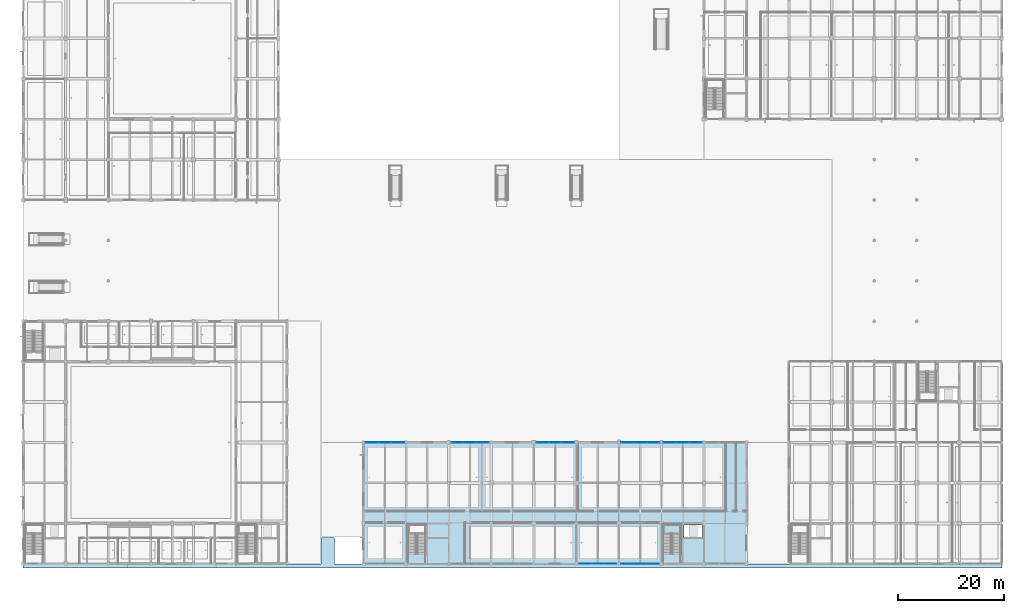
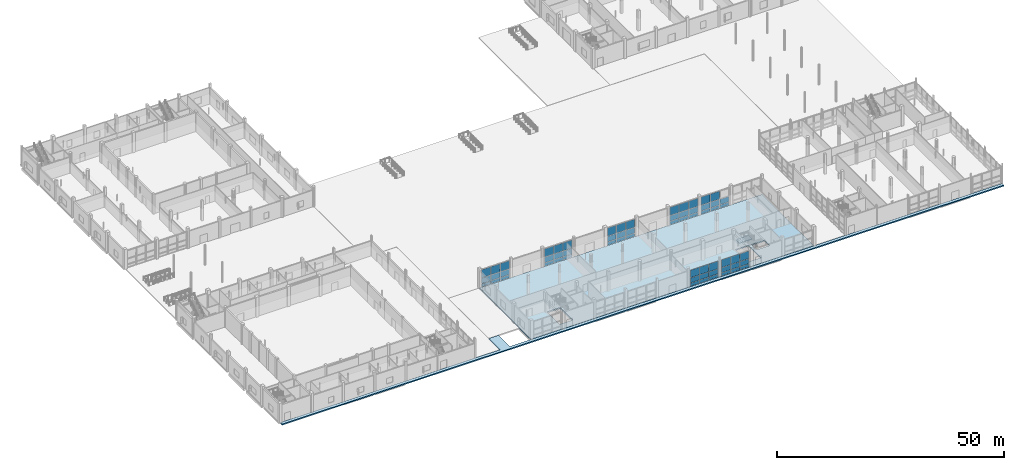
# One storey, part 50 of 126: 62 plates, 3 slabs, 8 elements without a shape of their own.
"""IFC4 building model written with IfcOpenShell, lengths in metres."""

from ifc_helpers import new_model, si_unit, direction, frame, origin, origin_2d, place, context, subcontext, project, spatial, polyline, rectangle, outline, extrude, material, layer, layer_set, type_object, element, aggregate, save


model = new_model("IFC4")

# Units and contexts
model_context = context("Model", 3, precision=1e-05, world=origin(), true_north=direction((0.0, 1.0)))
body_context = subcontext(model_context, "Body", "Model", "MODEL_VIEW")
ifc_project = project(units=[si_unit("LENGTHUNIT", "METRE"), si_unit("AREAUNIT", "SQUARE_METRE"), si_unit("VOLUMEUNIT", "CUBIC_METRE"), si_unit("PLANEANGLEUNIT", "RADIAN"), si_unit("MASSUNIT", "GRAM", prefix="KILO")], contexts=[model_context])

# Site, building, storey
site_placement = place(None, origin())
site = spatial("IfcSite", under=ifc_project, at=site_placement, CompositionType="ELEMENT")
building_placement = place(site_placement, origin())
building = spatial("IfcBuilding", under=site, at=building_placement, Name="Khelvaren Railside Concert Hall", CompositionType="ELEMENT")
storey_placement = place(building_placement, origin())
storey = spatial("IfcBuildingStorey", under=building, at=storey_placement, Name="L00", CompositionType="ELEMENT", Elevation=0.0)

# Curtain wall, plates
ifc_material_1 = material(Name="Triple-glazed solar-control glass", Category="glass")
curtain_wall_type_1 = type_object("IfcCurtainWallType", Name="CW14", PredefinedType="USERDEFINED", material=ifc_material_1)
curtain_wall_1_placement = place(storey_placement, origin())
curtain_wall_1 = element("IfcCurtainWall", 1, at=curtain_wall_1_placement, inside=storey, type_object=curtain_wall_type_1, Name="Unitised Curtain Wall CW-V3-L00-S-104", ObjectType="UNITISED CURTAIN WALL", PredefinedType="USERDEFINED")
ifc_layer_1 = layer(ifc_material_1, 0.035888671875)
ifc_layer_set_1 = layer_set([ifc_layer_1], Name="Triple-glazed solar-control glass")
plate_type = type_object("IfcPlateType", Name="CWP53", PredefinedType="CURTAIN_PANEL", material=ifc_layer_set_1)
plate_1_placement = place(storey_placement, frame((110.3955078125, 0.0, 0.074951171875), z_axis=(0.0, 0.0, 1.0), x_axis=(-1.0, 0.0, 0.0)))
plate_1 = element("IfcPlate", 2, at=plate_1_placement, type_object=plate_type, Name="CW14 panel 1.1", PredefinedType="CURTAIN_PANEL", context=body_context, shape_type="SweptSolid", body=[
    extrude(rectangle(XDim=2.26416015625, YDim=0.035888671875, at=origin_2d()), origin(), (0.0, 0.0, 1.0), 0.83740234375),
])
plate_2_placement = place(storey_placement, frame((110.3955078125, 0.0, 0.9873046875), z_axis=(0.0, 0.0, 1.0), x_axis=(-1.0, 0.0, 0.0)))
plate_2 = element("IfcPlate", 3, at=plate_2_placement, type_object=plate_type, Name="CW14 panel 1.2", PredefinedType="CURTAIN_PANEL", context=body_context, shape_type="SweptSolid", body=[
    extrude(rectangle(XDim=2.26416015625, YDim=0.035888671875, at=origin_2d()), origin(), (0.0, 0.0, 1.0), 1.309814453125),
])
plate_3_placement = place(storey_placement, frame((110.3955078125, 0.0, 2.3720703125), z_axis=(0.0, 0.0, 1.0), x_axis=(-1.0, 0.0, 0.0)))
plate_3 = element("IfcPlate", 4, at=plate_3_placement, type_object=plate_type, Name="CW14 panel 1.3", PredefinedType="CURTAIN_PANEL", context=body_context, shape_type="SweptSolid", body=[
    extrude(rectangle(XDim=2.26416015625, YDim=0.035888671875, at=origin_2d()), origin(), (0.0, 0.0, 1.0), 2.042724609375),
])
plate_4_placement = place(storey_placement, frame((108.03759765625, 0.0, 0.074951171875), z_axis=(0.0, 0.0, 1.0), x_axis=(-1.0, 0.0, 0.0)))
plate_4 = element("IfcPlate", 5, at=plate_4_placement, type_object=plate_type, Name="CW14 panel 2.1", PredefinedType="CURTAIN_PANEL", context=body_context, shape_type="SweptSolid", body=[
    extrude(rectangle(XDim=2.3017578125, YDim=0.035888671875, at=origin_2d()), origin(), (0.0, 0.0, 1.0), 0.83740234375),
])
plate_5_placement = place(storey_placement, frame((108.03759765625, 0.0, 0.9873046875), z_axis=(0.0, 0.0, 1.0), x_axis=(-1.0, 0.0, 0.0)))
plate_5 = element("IfcPlate", 6, at=plate_5_placement, type_object=plate_type, Name="CW14 panel 2.2", PredefinedType="CURTAIN_PANEL", context=body_context, shape_type="SweptSolid", body=[
    extrude(rectangle(XDim=2.3017578125, YDim=0.035888671875, at=origin_2d()), origin(), (0.0, 0.0, 1.0), 1.309814453125),
])
plate_6_placement = place(storey_placement, frame((108.03759765625, 0.0, 2.3720703125), z_axis=(0.0, 0.0, 1.0), x_axis=(-1.0, 0.0, 0.0)))
plate_6 = element("IfcPlate", 7, at=plate_6_placement, type_object=plate_type, Name="CW14 panel 2.3", PredefinedType="CURTAIN_PANEL", context=body_context, shape_type="SweptSolid", body=[
    extrude(rectangle(XDim=2.3017578125, YDim=0.035888671875, at=origin_2d()), origin(), (0.0, 0.0, 1.0), 2.042724609375),
])
plate_7_placement = place(storey_placement, frame((105.6796875, 0.0, 0.074951171875), z_axis=(0.0, 0.0, 1.0), x_axis=(-1.0, 0.0, 0.0)))
plate_7 = element("IfcPlate", 8, at=plate_7_placement, type_object=plate_type, Name="CW14 panel 3.1", PredefinedType="CURTAIN_PANEL", context=body_context, shape_type="SweptSolid", body=[
    extrude(rectangle(XDim=2.26416015625, YDim=0.035888671875, at=origin_2d()), origin(), (0.0, 0.0, 1.0), 0.83740234375),
])
plate_8_placement = place(storey_placement, frame((105.6796875, 0.0, 0.9873046875), z_axis=(0.0, 0.0, 1.0), x_axis=(-1.0, 0.0, 0.0)))
plate_8 = element("IfcPlate", 9, at=plate_8_placement, type_object=plate_type, Name="CW14 panel 3.2", PredefinedType="CURTAIN_PANEL", context=body_context, shape_type="SweptSolid", body=[
    extrude(rectangle(XDim=2.26416015625, YDim=0.035888671875, at=origin_2d()), origin(), (0.0, 0.0, 1.0), 1.309814453125),
])
plate_9_placement = place(storey_placement, frame((105.6796875, 0.0, 2.3720703125), z_axis=(0.0, 0.0, 1.0), x_axis=(-1.0, 0.0, 0.0)))
plate_9 = element("IfcPlate", 10, at=plate_9_placement, type_object=plate_type, Name="CW14 panel 3.3", PredefinedType="CURTAIN_PANEL", context=body_context, shape_type="SweptSolid", body=[
    extrude(rectangle(XDim=2.26416015625, YDim=0.035888671875, at=origin_2d()), origin(), (0.0, 0.0, 1.0), 2.042724609375),
])
aggregate(curtain_wall_1, [plate_1, plate_2, plate_3, plate_4, plate_5, plate_6, plate_7, plate_8, plate_9])

curtain_wall_type_2 = type_object("IfcCurtainWallType", Name="CW80", PredefinedType="USERDEFINED", material=ifc_material_1)
curtain_wall_2_placement = place(storey_placement, origin())
curtain_wall_2 = element("IfcCurtainWall", 11, at=curtain_wall_2_placement, inside=storey, type_object=curtain_wall_type_2, Name="Unitised Curtain Wall CW-V3-L00-S-112", ObjectType="UNITISED CURTAIN WALL", PredefinedType="USERDEFINED")
plate_10_placement = place(storey_placement, frame((118.3203125, 0.0, 0.074951171875), z_axis=(0.0, 0.0, 1.0), x_axis=(-1.0, 0.0, 0.0)))
plate_10 = element("IfcPlate", 12, at=plate_10_placement, type_object=plate_type, Name="CW80 panel 1.1", PredefinedType="CURTAIN_PANEL", context=body_context, shape_type="SweptSolid", body=[
    extrude(rectangle(XDim=2.26416015625, YDim=0.035888671875, at=origin_2d()), origin(), (0.0, 0.0, 1.0), 0.83740234375),
])
plate_11_placement = place(storey_placement, frame((118.3203125, 0.0, 0.9873046875), z_axis=(0.0, 0.0, 1.0), x_axis=(-1.0, 0.0, 0.0)))
plate_11 = element("IfcPlate", 13, at=plate_11_placement, type_object=plate_type, Name="CW80 panel 1.2", PredefinedType="CURTAIN_PANEL", context=body_context, shape_type="SweptSolid", body=[
    extrude(rectangle(XDim=2.26416015625, YDim=0.035888671875, at=origin_2d()), origin(), (0.0, 0.0, 1.0), 1.309814453125),
])
plate_12_placement = place(storey_placement, frame((118.3203125, 0.0, 2.3720703125), z_axis=(0.0, 0.0, 1.0), x_axis=(-1.0, 0.0, 0.0)))
plate_12 = element("IfcPlate", 14, at=plate_12_placement, type_object=plate_type, Name="CW80 panel 1.3", PredefinedType="CURTAIN_PANEL", context=body_context, shape_type="SweptSolid", body=[
    extrude(rectangle(XDim=2.26416015625, YDim=0.035888671875, at=origin_2d()), origin(), (0.0, 0.0, 1.0), 2.042724609375),
])
plate_13_placement = place(storey_placement, frame((115.96240234375, 0.0, 0.074951171875), z_axis=(0.0, 0.0, 1.0), x_axis=(-1.0, 0.0, 0.0)))
plate_13 = element("IfcPlate", 15, at=plate_13_placement, type_object=plate_type, Name="CW80 panel 2.1", PredefinedType="CURTAIN_PANEL", context=body_context, shape_type="SweptSolid", body=[
    extrude(rectangle(XDim=2.3017578125, YDim=0.035888671875, at=origin_2d()), origin(), (0.0, 0.0, 1.0), 0.83740234375),
])
plate_14_placement = place(storey_placement, frame((115.96240234375, 0.0, 0.9873046875), z_axis=(0.0, 0.0, 1.0), x_axis=(-1.0, 0.0, 0.0)))
plate_14 = element("IfcPlate", 16, at=plate_14_placement, type_object=plate_type, Name="CW80 panel 2.2", PredefinedType="CURTAIN_PANEL", context=body_context, shape_type="SweptSolid", body=[
    extrude(rectangle(XDim=2.3017578125, YDim=0.035888671875, at=origin_2d()), origin(), (0.0, 0.0, 1.0), 1.309814453125),
])
plate_15_placement = place(storey_placement, frame((115.96240234375, 0.0, 2.3720703125), z_axis=(0.0, 0.0, 1.0), x_axis=(-1.0, 0.0, 0.0)))
plate_15 = element("IfcPlate", 17, at=plate_15_placement, type_object=plate_type, Name="CW80 panel 2.3", PredefinedType="CURTAIN_PANEL", context=body_context, shape_type="SweptSolid", body=[
    extrude(rectangle(XDim=2.3017578125, YDim=0.035888671875, at=origin_2d()), origin(), (0.0, 0.0, 1.0), 2.042724609375),
])
plate_16_placement = place(storey_placement, frame((113.6044921875, 0.0, 0.074951171875), z_axis=(0.0, 0.0, 1.0), x_axis=(-1.0, 0.0, 0.0)))
plate_16 = element("IfcPlate", 18, at=plate_16_placement, type_object=plate_type, Name="CW80 panel 3.1", PredefinedType="CURTAIN_PANEL", context=body_context, shape_type="SweptSolid", body=[
    extrude(rectangle(XDim=2.26416015625, YDim=0.035888671875, at=origin_2d()), origin(), (0.0, 0.0, 1.0), 0.83740234375),
])
plate_17_placement = place(storey_placement, frame((113.6044921875, 0.0, 0.9873046875), z_axis=(0.0, 0.0, 1.0), x_axis=(-1.0, 0.0, 0.0)))
plate_17 = element("IfcPlate", 19, at=plate_17_placement, type_object=plate_type, Name="CW80 panel 3.2", PredefinedType="CURTAIN_PANEL", context=body_context, shape_type="SweptSolid", body=[
    extrude(rectangle(XDim=2.26416015625, YDim=0.035888671875, at=origin_2d()), origin(), (0.0, 0.0, 1.0), 1.309814453125),
])
plate_18_placement = place(storey_placement, frame((113.6044921875, 0.0, 2.3720703125), z_axis=(0.0, 0.0, 1.0), x_axis=(-1.0, 0.0, 0.0)))
plate_18 = element("IfcPlate", 20, at=plate_18_placement, type_object=plate_type, Name="CW80 panel 3.3", PredefinedType="CURTAIN_PANEL", context=body_context, shape_type="SweptSolid", body=[
    extrude(rectangle(XDim=2.26416015625, YDim=0.035888671875, at=origin_2d()), origin(), (0.0, 0.0, 1.0), 2.042724609375),
])
aggregate(curtain_wall_2, [plate_10, plate_11, plate_12, plate_13, plate_14, plate_15, plate_16, plate_17, plate_18])

curtain_wall_type_3 = type_object("IfcCurtainWallType", Name="CW88", PredefinedType="USERDEFINED", material=ifc_material_1)
curtain_wall_3_placement = place(storey_placement, origin())
curtain_wall_3 = element("IfcCurtainWall", 21, at=curtain_wall_3_placement, inside=storey, type_object=curtain_wall_type_3, Name="Unitised Curtain Wall CW-V3-L00-N-64", ObjectType="UNITISED CURTAIN WALL", PredefinedType="USERDEFINED")
plate_19_placement = place(storey_placement, frame((65.608642578125, 22.800048828125, 0.074951171875), z_axis=(0.0, 0.0, 1.0), x_axis=(1.0, 0.0, 0.0)))
plate_19 = element("IfcPlate", 22, at=plate_19_placement, type_object=plate_type, Name="CW88 panel 1.1", PredefinedType="CURTAIN_PANEL", context=body_context, shape_type="SweptSolid", body=[
    extrude(rectangle(XDim=2.322509765625, YDim=0.035888671875, at=origin_2d()), origin(), (0.0, 0.0, 1.0), 0.83740234375),
])
plate_20_placement = place(storey_placement, frame((65.608642578125, 22.800048828125, 0.9873046875), z_axis=(0.0, 0.0, 1.0), x_axis=(1.0, 0.0, 0.0)))
plate_20 = element("IfcPlate", 23, at=plate_20_placement, type_object=plate_type, Name="CW88 panel 1.2", PredefinedType="CURTAIN_PANEL", context=body_context, shape_type="SweptSolid", body=[
    extrude(rectangle(XDim=2.322509765625, YDim=0.035888671875, at=origin_2d()), origin(), (0.0, 0.0, 1.0), 1.470947265625),
])
plate_21_placement = place(storey_placement, frame((65.608642578125, 22.800048828125, 2.533447265625), z_axis=(0.0, 0.0, 1.0), x_axis=(1.0, 0.0, 0.0)))
plate_21 = element("IfcPlate", 24, at=plate_21_placement, type_object=plate_type, Name="CW88 panel 1.3", PredefinedType="CURTAIN_PANEL", context=body_context, shape_type="SweptSolid", body=[
    extrude(rectangle(XDim=2.322509765625, YDim=0.035888671875, at=origin_2d()), origin(), (0.0, 0.0, 1.0), 2.19140625),
])
plate_22_placement = place(storey_placement, frame((68.02490234375, 22.800048828125, 0.074951171875), z_axis=(0.0, 0.0, 1.0), x_axis=(1.0, 0.0, 0.0)))
plate_22 = element("IfcPlate", 25, at=plate_22_placement, type_object=plate_type, Name="CW88 panel 2.1", PredefinedType="CURTAIN_PANEL", context=body_context, shape_type="SweptSolid", body=[
    extrude(rectangle(XDim=2.360107421875, YDim=0.035888671875, at=origin_2d()), origin(), (0.0, 0.0, 1.0), 0.83740234375),
])
plate_23_placement = place(storey_placement, frame((68.02490234375, 22.800048828125, 0.9873046875), z_axis=(0.0, 0.0, 1.0), x_axis=(1.0, 0.0, 0.0)))
plate_23 = element("IfcPlate", 26, at=plate_23_placement, type_object=plate_type, Name="CW88 panel 2.2", PredefinedType="CURTAIN_PANEL", context=body_context, shape_type="SweptSolid", body=[
    extrude(rectangle(XDim=2.360107421875, YDim=0.035888671875, at=origin_2d()), origin(), (0.0, 0.0, 1.0), 1.470947265625),
])
plate_24_placement = place(storey_placement, frame((68.02490234375, 22.800048828125, 2.533447265625), z_axis=(0.0, 0.0, 1.0), x_axis=(1.0, 0.0, 0.0)))
plate_24 = element("IfcPlate", 27, at=plate_24_placement, type_object=plate_type, Name="CW88 panel 2.3", PredefinedType="CURTAIN_PANEL", context=body_context, shape_type="SweptSolid", body=[
    extrude(rectangle(XDim=2.360107421875, YDim=0.035888671875, at=origin_2d()), origin(), (0.0, 0.0, 1.0), 2.19140625),
])
plate_25_placement = place(storey_placement, frame((70.441162109375, 22.800048828125, 0.074951171875), z_axis=(0.0, 0.0, 1.0), x_axis=(1.0, 0.0, 0.0)))
plate_25 = element("IfcPlate", 28, at=plate_25_placement, type_object=plate_type, Name="CW88 panel 3.1", PredefinedType="CURTAIN_PANEL", context=body_context, shape_type="SweptSolid", body=[
    extrude(rectangle(XDim=2.322509765625, YDim=0.035888671875, at=origin_2d()), origin(), (0.0, 0.0, 1.0), 0.83740234375),
])
plate_26_placement = place(storey_placement, frame((70.441162109375, 22.800048828125, 0.9873046875), z_axis=(0.0, 0.0, 1.0), x_axis=(1.0, 0.0, 0.0)))
plate_26 = element("IfcPlate", 29, at=plate_26_placement, type_object=plate_type, Name="CW88 panel 3.2", PredefinedType="CURTAIN_PANEL", context=body_context, shape_type="SweptSolid", body=[
    extrude(rectangle(XDim=2.322509765625, YDim=0.035888671875, at=origin_2d()), origin(), (0.0, 0.0, 1.0), 1.470947265625),
])
plate_27_placement = place(storey_placement, frame((70.441162109375, 22.800048828125, 2.533447265625), z_axis=(0.0, 0.0, 1.0), x_axis=(1.0, 0.0, 0.0)))
plate_27 = element("IfcPlate", 30, at=plate_27_placement, type_object=plate_type, Name="CW88 panel 3.3", PredefinedType="CURTAIN_PANEL", context=body_context, shape_type="SweptSolid", body=[
    extrude(rectangle(XDim=2.322509765625, YDim=0.035888671875, at=origin_2d()), origin(), (0.0, 0.0, 1.0), 2.19140625),
])
aggregate(curtain_wall_3, [plate_19, plate_20, plate_21, plate_22, plate_23, plate_24, plate_25, plate_26, plate_27])

curtain_wall_4_placement = place(storey_placement, origin())
curtain_wall_4 = element("IfcCurtainWall", 31, at=curtain_wall_4_placement, inside=storey, type_object=curtain_wall_type_1, Name="Unitised Curtain Wall CW-V3-L00-N-80", ObjectType="UNITISED CURTAIN WALL", PredefinedType="USERDEFINED")
plate_28_placement = place(storey_placement, frame((81.6796875, 22.800048828125, 0.074951171875), z_axis=(0.0, 0.0, 1.0), x_axis=(1.0, 0.0, 0.0)))
plate_28 = element("IfcPlate", 32, at=plate_28_placement, type_object=plate_type, Name="CW14 panel 1.1", PredefinedType="CURTAIN_PANEL", context=body_context, shape_type="SweptSolid", body=[
    extrude(rectangle(XDim=2.26416015625, YDim=0.035888671875, at=origin_2d()), origin(), (0.0, 0.0, 1.0), 0.83740234375),
])
plate_29_placement = place(storey_placement, frame((81.6796875, 22.800048828125, 0.9873046875), z_axis=(0.0, 0.0, 1.0), x_axis=(1.0, 0.0, 0.0)))
plate_29 = element("IfcPlate", 33, at=plate_29_placement, type_object=plate_type, Name="CW14 panel 1.2", PredefinedType="CURTAIN_PANEL", context=body_context, shape_type="SweptSolid", body=[
    extrude(rectangle(XDim=2.26416015625, YDim=0.035888671875, at=origin_2d()), origin(), (0.0, 0.0, 1.0), 1.470947265625),
])
plate_30_placement = place(storey_placement, frame((81.6796875, 22.800048828125, 2.533447265625), z_axis=(0.0, 0.0, 1.0), x_axis=(1.0, 0.0, 0.0)))
plate_30 = element("IfcPlate", 34, at=plate_30_placement, type_object=plate_type, Name="CW14 panel 1.3", PredefinedType="CURTAIN_PANEL", context=body_context, shape_type="SweptSolid", body=[
    extrude(rectangle(XDim=2.26416015625, YDim=0.035888671875, at=origin_2d()), origin(), (0.0, 0.0, 1.0), 2.19140625),
])
plate_31_placement = place(storey_placement, frame((84.03759765625, 22.800048828125, 0.074951171875), z_axis=(0.0, 0.0, 1.0), x_axis=(1.0, 0.0, 0.0)))
plate_31 = element("IfcPlate", 35, at=plate_31_placement, type_object=plate_type, Name="CW14 panel 2.1", PredefinedType="CURTAIN_PANEL", context=body_context, shape_type="SweptSolid", body=[
    extrude(rectangle(XDim=2.3017578125, YDim=0.035888671875, at=origin_2d()), origin(), (0.0, 0.0, 1.0), 0.83740234375),
])
plate_32_placement = place(storey_placement, frame((84.03759765625, 22.800048828125, 0.9873046875), z_axis=(0.0, 0.0, 1.0), x_axis=(1.0, 0.0, 0.0)))
plate_32 = element("IfcPlate", 36, at=plate_32_placement, type_object=plate_type, Name="CW14 panel 2.2", PredefinedType="CURTAIN_PANEL", context=body_context, shape_type="SweptSolid", body=[
    extrude(rectangle(XDim=2.3017578125, YDim=0.035888671875, at=origin_2d()), origin(), (0.0, 0.0, 1.0), 1.470947265625),
])
plate_33_placement = place(storey_placement, frame((84.03759765625, 22.800048828125, 2.533447265625), z_axis=(0.0, 0.0, 1.0), x_axis=(1.0, 0.0, 0.0)))
plate_33 = element("IfcPlate", 37, at=plate_33_placement, type_object=plate_type, Name="CW14 panel 2.3", PredefinedType="CURTAIN_PANEL", context=body_context, shape_type="SweptSolid", body=[
    extrude(rectangle(XDim=2.3017578125, YDim=0.035888671875, at=origin_2d()), origin(), (0.0, 0.0, 1.0), 2.19140625),
])
plate_34_placement = place(storey_placement, frame((86.3955078125, 22.800048828125, 0.074951171875), z_axis=(0.0, 0.0, 1.0), x_axis=(1.0, 0.0, 0.0)))
plate_34 = element("IfcPlate", 38, at=plate_34_placement, type_object=plate_type, Name="CW14 panel 3.1", PredefinedType="CURTAIN_PANEL", context=body_context, shape_type="SweptSolid", body=[
    extrude(rectangle(XDim=2.26416015625, YDim=0.035888671875, at=origin_2d()), origin(), (0.0, 0.0, 1.0), 0.83740234375),
])
plate_35_placement = place(storey_placement, frame((86.3955078125, 22.800048828125, 0.9873046875), z_axis=(0.0, 0.0, 1.0), x_axis=(1.0, 0.0, 0.0)))
plate_35 = element("IfcPlate", 39, at=plate_35_placement, type_object=plate_type, Name="CW14 panel 3.2", PredefinedType="CURTAIN_PANEL", context=body_context, shape_type="SweptSolid", body=[
    extrude(rectangle(XDim=2.26416015625, YDim=0.035888671875, at=origin_2d()), origin(), (0.0, 0.0, 1.0), 1.470947265625),
])
plate_36_placement = place(storey_placement, frame((86.3955078125, 22.800048828125, 2.533447265625), z_axis=(0.0, 0.0, 1.0), x_axis=(1.0, 0.0, 0.0)))
plate_36 = element("IfcPlate", 40, at=plate_36_placement, type_object=plate_type, Name="CW14 panel 3.3", PredefinedType="CURTAIN_PANEL", context=body_context, shape_type="SweptSolid", body=[
    extrude(rectangle(XDim=2.26416015625, YDim=0.035888671875, at=origin_2d()), origin(), (0.0, 0.0, 1.0), 2.19140625),
])
aggregate(curtain_wall_4, [plate_28, plate_29, plate_30, plate_31, plate_32, plate_33, plate_34, plate_35, plate_36])

curtain_wall_5_placement = place(storey_placement, origin())
curtain_wall_5 = element("IfcCurtainWall", 41, at=curtain_wall_5_placement, inside=storey, type_object=curtain_wall_type_2, Name="Unitised Curtain Wall CW-V3-L00-N-96", ObjectType="UNITISED CURTAIN WALL", PredefinedType="USERDEFINED")
plate_37_placement = place(storey_placement, frame((97.675537109375, 22.800048828125, 0.074951171875), z_axis=(0.0, 0.0, 1.0), x_axis=(1.0, 0.0, 0.0)))
plate_37 = element("IfcPlate", 42, at=plate_37_placement, type_object=plate_type, Name="CW80 panel 1.1", PredefinedType="CURTAIN_PANEL", context=body_context, shape_type="SweptSolid", body=[
    extrude(rectangle(XDim=2.255859375, YDim=0.035888671875, at=origin_2d()), origin(), (0.0, 0.0, 1.0), 0.83740234375),
])
plate_38_placement = place(storey_placement, frame((97.675537109375, 22.800048828125, 0.9873046875), z_axis=(0.0, 0.0, 1.0), x_axis=(1.0, 0.0, 0.0)))
plate_38 = element("IfcPlate", 43, at=plate_38_placement, type_object=plate_type, Name="CW80 panel 1.2", PredefinedType="CURTAIN_PANEL", context=body_context, shape_type="SweptSolid", body=[
    extrude(rectangle(XDim=2.255859375, YDim=0.035888671875, at=origin_2d()), origin(), (0.0, 0.0, 1.0), 1.470947265625),
])
plate_39_placement = place(storey_placement, frame((97.675537109375, 22.800048828125, 2.533447265625), z_axis=(0.0, 0.0, 1.0), x_axis=(1.0, 0.0, 0.0)))
plate_39 = element("IfcPlate", 44, at=plate_39_placement, type_object=plate_type, Name="CW80 panel 1.3", PredefinedType="CURTAIN_PANEL", context=body_context, shape_type="SweptSolid", body=[
    extrude(rectangle(XDim=2.255859375, YDim=0.035888671875, at=origin_2d()), origin(), (0.0, 0.0, 1.0), 2.19140625),
])
plate_40_placement = place(storey_placement, frame((100.02490234375, 22.800048828125, 0.074951171875), z_axis=(0.0, 0.0, 1.0), x_axis=(1.0, 0.0, 0.0)))
plate_40 = element("IfcPlate", 45, at=plate_40_placement, type_object=plate_type, Name="CW80 panel 2.1", PredefinedType="CURTAIN_PANEL", context=body_context, shape_type="SweptSolid", body=[
    extrude(rectangle(XDim=2.293212890625, YDim=0.035888671875, at=origin_2d()), origin(), (0.0, 0.0, 1.0), 0.83740234375),
])
plate_41_placement = place(storey_placement, frame((100.02490234375, 22.800048828125, 0.9873046875), z_axis=(0.0, 0.0, 1.0), x_axis=(1.0, 0.0, 0.0)))
plate_41 = element("IfcPlate", 46, at=plate_41_placement, type_object=plate_type, Name="CW80 panel 2.2", PredefinedType="CURTAIN_PANEL", context=body_context, shape_type="SweptSolid", body=[
    extrude(rectangle(XDim=2.293212890625, YDim=0.035888671875, at=origin_2d()), origin(), (0.0, 0.0, 1.0), 1.470947265625),
])
plate_42_placement = place(storey_placement, frame((100.02490234375, 22.800048828125, 2.533447265625), z_axis=(0.0, 0.0, 1.0), x_axis=(1.0, 0.0, 0.0)))
plate_42 = element("IfcPlate", 47, at=plate_42_placement, type_object=plate_type, Name="CW80 panel 2.3", PredefinedType="CURTAIN_PANEL", context=body_context, shape_type="SweptSolid", body=[
    extrude(rectangle(XDim=2.293212890625, YDim=0.035888671875, at=origin_2d()), origin(), (0.0, 0.0, 1.0), 2.19140625),
])
plate_43_placement = place(storey_placement, frame((102.37451171875, 22.800048828125, 0.074951171875), z_axis=(0.0, 0.0, 1.0), x_axis=(1.0, 0.0, 0.0)))
plate_43 = element("IfcPlate", 48, at=plate_43_placement, type_object=plate_type, Name="CW80 panel 3.1", PredefinedType="CURTAIN_PANEL", context=body_context, shape_type="SweptSolid", body=[
    extrude(rectangle(XDim=2.255859375, YDim=0.035888671875, at=origin_2d()), origin(), (0.0, 0.0, 1.0), 0.83740234375),
])
plate_44_placement = place(storey_placement, frame((102.37451171875, 22.800048828125, 0.9873046875), z_axis=(0.0, 0.0, 1.0), x_axis=(1.0, 0.0, 0.0)))
plate_44 = element("IfcPlate", 49, at=plate_44_placement, type_object=plate_type, Name="CW80 panel 3.2", PredefinedType="CURTAIN_PANEL", context=body_context, shape_type="SweptSolid", body=[
    extrude(rectangle(XDim=2.255859375, YDim=0.035888671875, at=origin_2d()), origin(), (0.0, 0.0, 1.0), 1.470947265625),
])
plate_45_placement = place(storey_placement, frame((102.37451171875, 22.800048828125, 2.533447265625), z_axis=(0.0, 0.0, 1.0), x_axis=(1.0, 0.0, 0.0)))
plate_45 = element("IfcPlate", 50, at=plate_45_placement, type_object=plate_type, Name="CW80 panel 3.3", PredefinedType="CURTAIN_PANEL", context=body_context, shape_type="SweptSolid", body=[
    extrude(rectangle(XDim=2.255859375, YDim=0.035888671875, at=origin_2d()), origin(), (0.0, 0.0, 1.0), 2.19140625),
])
aggregate(curtain_wall_5, [plate_37, plate_38, plate_39, plate_40, plate_41, plate_42, plate_43, plate_44, plate_45])

curtain_wall_type_4 = type_object("IfcCurtainWallType", Name="CW41", PredefinedType="USERDEFINED", material=ifc_material_1)
curtain_wall_6_placement = place(storey_placement, origin())
curtain_wall_6 = element("IfcCurtainWall", 51, at=curtain_wall_6_placement, inside=storey, type_object=curtain_wall_type_4, Name="Unitised Curtain Wall CW-V3-L00-N-112", ObjectType="UNITISED CURTAIN WALL", PredefinedType="USERDEFINED")
plate_46_placement = place(storey_placement, frame((113.608642578125, 22.800048828125, 0.074951171875), z_axis=(0.0, 0.0, 1.0), x_axis=(1.0, 0.0, 0.0)))
plate_46 = element("IfcPlate", 52, at=plate_46_placement, type_object=plate_type, Name="CW41 panel 1.1", PredefinedType="CURTAIN_PANEL", context=body_context, shape_type="SweptSolid", body=[
    extrude(rectangle(XDim=2.322509765625, YDim=0.035888671875, at=origin_2d()), origin(), (0.0, 0.0, 1.0), 0.83740234375),
])
plate_47_placement = place(storey_placement, frame((113.608642578125, 22.800048828125, 0.9873046875), z_axis=(0.0, 0.0, 1.0), x_axis=(1.0, 0.0, 0.0)))
plate_47 = element("IfcPlate", 53, at=plate_47_placement, type_object=plate_type, Name="CW41 panel 1.2", PredefinedType="CURTAIN_PANEL", context=body_context, shape_type="SweptSolid", body=[
    extrude(rectangle(XDim=2.322509765625, YDim=0.035888671875, at=origin_2d()), origin(), (0.0, 0.0, 1.0), 1.470947265625),
])
plate_48_placement = place(storey_placement, frame((113.608642578125, 22.800048828125, 2.533447265625), z_axis=(0.0, 0.0, 1.0), x_axis=(1.0, 0.0, 0.0)))
plate_48 = element("IfcPlate", 54, at=plate_48_placement, type_object=plate_type, Name="CW41 panel 1.3", PredefinedType="CURTAIN_PANEL", context=body_context, shape_type="SweptSolid", body=[
    extrude(rectangle(XDim=2.322509765625, YDim=0.035888671875, at=origin_2d()), origin(), (0.0, 0.0, 1.0), 2.19140625),
])
plate_49_placement = place(storey_placement, frame((116.02490234375, 22.800048828125, 0.074951171875), z_axis=(0.0, 0.0, 1.0), x_axis=(1.0, 0.0, 0.0)))
plate_49 = element("IfcPlate", 55, at=plate_49_placement, type_object=plate_type, Name="CW41 panel 2.1", PredefinedType="CURTAIN_PANEL", context=body_context, shape_type="SweptSolid", body=[
    extrude(rectangle(XDim=2.360107421875, YDim=0.035888671875, at=origin_2d()), origin(), (0.0, 0.0, 1.0), 0.83740234375),
])
plate_50_placement = place(storey_placement, frame((116.02490234375, 22.800048828125, 0.9873046875), z_axis=(0.0, 0.0, 1.0), x_axis=(1.0, 0.0, 0.0)))
plate_50 = element("IfcPlate", 56, at=plate_50_placement, type_object=plate_type, Name="CW41 panel 2.2", PredefinedType="CURTAIN_PANEL", context=body_context, shape_type="SweptSolid", body=[
    extrude(rectangle(XDim=2.360107421875, YDim=0.035888671875, at=origin_2d()), origin(), (0.0, 0.0, 1.0), 1.470947265625),
])
plate_51_placement = place(storey_placement, frame((116.02490234375, 22.800048828125, 2.533447265625), z_axis=(0.0, 0.0, 1.0), x_axis=(1.0, 0.0, 0.0)))
plate_51 = element("IfcPlate", 57, at=plate_51_placement, type_object=plate_type, Name="CW41 panel 2.3", PredefinedType="CURTAIN_PANEL", context=body_context, shape_type="SweptSolid", body=[
    extrude(rectangle(XDim=2.360107421875, YDim=0.035888671875, at=origin_2d()), origin(), (0.0, 0.0, 1.0), 2.19140625),
])
plate_52_placement = place(storey_placement, frame((118.441162109375, 22.800048828125, 0.074951171875), z_axis=(0.0, 0.0, 1.0), x_axis=(1.0, 0.0, 0.0)))
plate_52 = element("IfcPlate", 58, at=plate_52_placement, type_object=plate_type, Name="CW41 panel 3.1", PredefinedType="CURTAIN_PANEL", context=body_context, shape_type="SweptSolid", body=[
    extrude(rectangle(XDim=2.322509765625, YDim=0.035888671875, at=origin_2d()), origin(), (0.0, 0.0, 1.0), 0.83740234375),
])
plate_53_placement = place(storey_placement, frame((118.441162109375, 22.800048828125, 0.9873046875), z_axis=(0.0, 0.0, 1.0), x_axis=(1.0, 0.0, 0.0)))
plate_53 = element("IfcPlate", 59, at=plate_53_placement, type_object=plate_type, Name="CW41 panel 3.2", PredefinedType="CURTAIN_PANEL", context=body_context, shape_type="SweptSolid", body=[
    extrude(rectangle(XDim=2.322509765625, YDim=0.035888671875, at=origin_2d()), origin(), (0.0, 0.0, 1.0), 1.470947265625),
])
plate_54_placement = place(storey_placement, frame((118.441162109375, 22.800048828125, 2.533447265625), z_axis=(0.0, 0.0, 1.0), x_axis=(1.0, 0.0, 0.0)))
plate_54 = element("IfcPlate", 60, at=plate_54_placement, type_object=plate_type, Name="CW41 panel 3.3", PredefinedType="CURTAIN_PANEL", context=body_context, shape_type="SweptSolid", body=[
    extrude(rectangle(XDim=2.322509765625, YDim=0.035888671875, at=origin_2d()), origin(), (0.0, 0.0, 1.0), 2.19140625),
])
aggregate(curtain_wall_6, [plate_46, plate_47, plate_48, plate_49, plate_50, plate_51, plate_52, plate_53, plate_54])

curtain_wall_7_placement = place(storey_placement, origin())
curtain_wall_7 = element("IfcCurtainWall", 61, at=curtain_wall_7_placement, inside=storey, type_object=curtain_wall_type_3, Name="Unitised Curtain Wall CW-V3-L00-N-120", ObjectType="UNITISED CURTAIN WALL", PredefinedType="USERDEFINED")
plate_55_placement = place(storey_placement, frame((121.558837890625, 22.800048828125, 0.074951171875), z_axis=(0.0, 0.0, 1.0), x_axis=(1.0, 0.0, 0.0)))
plate_55 = element("IfcPlate", 62, at=plate_55_placement, type_object=plate_type, Name="CW88 panel 1.1", PredefinedType="CURTAIN_PANEL", context=body_context, shape_type="SweptSolid", body=[
    extrude(rectangle(XDim=2.322509765625, YDim=0.035888671875, at=origin_2d()), origin(), (0.0, 0.0, 1.0), 0.83740234375),
])
plate_56_placement = place(storey_placement, frame((121.558837890625, 22.800048828125, 0.9873046875), z_axis=(0.0, 0.0, 1.0), x_axis=(1.0, 0.0, 0.0)))
plate_56 = element("IfcPlate", 63, at=plate_56_placement, type_object=plate_type, Name="CW88 panel 1.2", PredefinedType="CURTAIN_PANEL", context=body_context, shape_type="SweptSolid", body=[
    extrude(rectangle(XDim=2.322509765625, YDim=0.035888671875, at=origin_2d()), origin(), (0.0, 0.0, 1.0), 1.470947265625),
])
plate_57_placement = place(storey_placement, frame((121.558837890625, 22.800048828125, 2.533447265625), z_axis=(0.0, 0.0, 1.0), x_axis=(1.0, 0.0, 0.0)))
plate_57 = element("IfcPlate", 64, at=plate_57_placement, type_object=plate_type, Name="CW88 panel 1.3", PredefinedType="CURTAIN_PANEL", context=body_context, shape_type="SweptSolid", body=[
    extrude(rectangle(XDim=2.322509765625, YDim=0.035888671875, at=origin_2d()), origin(), (0.0, 0.0, 1.0), 2.19140625),
])
plate_58_placement = place(storey_placement, frame((123.97509765625, 22.800048828125, 0.074951171875), z_axis=(0.0, 0.0, 1.0), x_axis=(1.0, 0.0, 0.0)))
plate_58 = element("IfcPlate", 65, at=plate_58_placement, type_object=plate_type, Name="CW88 panel 2.1", PredefinedType="CURTAIN_PANEL", context=body_context, shape_type="SweptSolid", body=[
    extrude(rectangle(XDim=2.360107421875, YDim=0.035888671875, at=origin_2d()), origin(), (0.0, 0.0, 1.0), 0.83740234375),
])
plate_59_placement = place(storey_placement, frame((123.97509765625, 22.800048828125, 0.9873046875), z_axis=(0.0, 0.0, 1.0), x_axis=(1.0, 0.0, 0.0)))
plate_59 = element("IfcPlate", 66, at=plate_59_placement, type_object=plate_type, Name="CW88 panel 2.2", PredefinedType="CURTAIN_PANEL", context=body_context, shape_type="SweptSolid", body=[
    extrude(rectangle(XDim=2.360107421875, YDim=0.035888671875, at=origin_2d()), origin(), (0.0, 0.0, 1.0), 1.470947265625),
])
plate_60_placement = place(storey_placement, frame((123.97509765625, 22.800048828125, 2.533447265625), z_axis=(0.0, 0.0, 1.0), x_axis=(1.0, 0.0, 0.0)))
plate_60 = element("IfcPlate", 67, at=plate_60_placement, type_object=plate_type, Name="CW88 panel 2.3", PredefinedType="CURTAIN_PANEL", context=body_context, shape_type="SweptSolid", body=[
    extrude(rectangle(XDim=2.360107421875, YDim=0.035888671875, at=origin_2d()), origin(), (0.0, 0.0, 1.0), 2.19140625),
])
plate_61_placement = place(storey_placement, frame((126.391357421875, 22.800048828125, 0.074951171875), z_axis=(0.0, 0.0, 1.0), x_axis=(1.0, 0.0, 0.0)))
plate_61 = element("IfcPlate", 68, at=plate_61_placement, type_object=plate_type, Name="CW88 panel 3.1", PredefinedType="CURTAIN_PANEL", context=body_context, shape_type="SweptSolid", body=[
    extrude(rectangle(XDim=2.322509765625, YDim=0.035888671875, at=origin_2d()), origin(), (0.0, 0.0, 1.0), 0.83740234375),
])
plate_62_placement = place(storey_placement, frame((126.391357421875, 22.800048828125, 0.9873046875), z_axis=(0.0, 0.0, 1.0), x_axis=(1.0, 0.0, 0.0)))
plate_62 = element("IfcPlate", 69, at=plate_62_placement, type_object=plate_type, Name="CW88 panel 3.2", PredefinedType="CURTAIN_PANEL", context=body_context, shape_type="SweptSolid", body=[
    extrude(rectangle(XDim=2.322509765625, YDim=0.035888671875, at=origin_2d()), origin(), (0.0, 0.0, 1.0), 1.470947265625),
])
aggregate(curtain_wall_7, [plate_55, plate_56, plate_57, plate_58, plate_59, plate_60, plate_61, plate_62])

# Slabs
ifc_material_2 = material(Name="Concrete C40/50", Category="concrete")
ifc_layer_2 = layer(ifc_material_2, 0.320068359375)
ifc_layer_set_2 = layer_set([ifc_layer_2], Name="Concrete C40/50")
slab_type_1 = type_object("IfcSlabType", Name="FS29", PredefinedType="FLOOR", material=ifc_layer_set_2)
slab_1_placement = place(storey_placement, frame((0.0, 0.0, -0.320068359375)))
element("IfcSlab", 70, at=slab_1_placement, inside=storey, type_object=slab_type_1, Name="V3 L00 Structural Floor Slab", PredefinedType="FLOOR", context=body_context, shape_type="SweptSolid", body=[
    extrude(outline(polyline([(64.0, 0.0), (136.0, 0.0), (136.0, 22.800048828125), (64.0, 22.800048828125), (64.0, 0.0)]), holes=[polyline([(75.6201171875, 1.840087890625), (75.6201171875, 7.360107421875), (72.300048828125, 7.360107421875), (72.300048828125, 1.840087890625), (75.6201171875, 1.840087890625)]), polyline([(123.6201171875, 1.840087890625), (123.6201171875, 7.360107421875), (120.300048828125, 7.360107421875), (120.300048828125, 1.840087890625), (123.6201171875, 1.840087890625)]), polyline([(124.25, 4.949951171875), (127.64990234375, 4.949951171875), (127.64990234375, 7.25), (124.25, 7.25), (124.25, 4.949951171875)])]), origin(), (0.0, 0.0, 1.0), 0.320068359375),
])
ifc_material_3 = material(Name="Concrete C35/45", Category="concrete")
ifc_layer_3 = layer(ifc_material_3, 0.300048828125)
ifc_layer_set_3 = layer_set([ifc_layer_3], Name="Concrete C35/45")
slab_type_2 = type_object("IfcSlabType", Name="FS48", PredefinedType="FLOOR", material=ifc_layer_set_3)
slab_2_placement = place(storey_placement, frame((0.0, 0.0, -0.300048828125)))
element("IfcSlab", 71, at=slab_2_placement, inside=storey, type_object=slab_type_2, Name="Exterior Court and Service Loop Apron APRON-S", PredefinedType="FLOOR", context=body_context, shape_type="SweptSolid", body=[
    extrude(outline(polyline([(0.0, -0.800048828125), (184.0, -0.800048828125), (184.0, -0.02001953125), (58.5, -0.02001953125), (58.5, 4.949951171875), (56.02001953125, 4.949951171875), (56.02001953125, -0.02001953125), (0.0, -0.02001953125), (0.0, -0.800048828125)])), origin(), (0.0, 0.0, 1.0), 0.300048828125),
])

# Stair, slab
stair_type = type_object("IfcStairType", Name="ST11", PredefinedType="HALF_TURN_STAIR", material=ifc_material_2)
stair_placement = place(storey_placement, origin())
stair = element("IfcStair", 72, at=stair_placement, inside=storey, type_object=stair_type, Name="L00 Core Exit Stair ST-06", PredefinedType="HALF_TURN_STAIR")
ifc_layer_4 = layer(ifc_material_2, 0.199951171875)
ifc_layer_set_4 = layer_set([ifc_layer_4], Name="Concrete C40/50")
slab_type_3 = type_object("IfcSlabType", Name="LND67", PredefinedType="LANDING", material=ifc_layer_set_4)
slab_3_placement = place(storey_placement, frame((0.0, 0.0, 2.5)))
slab_3 = element("IfcSlab", 73, at=slab_3_placement, type_object=slab_type_3, Name="ST-06 landing 1", PredefinedType="LANDING", context=body_context, shape_type="SweptSolid", body=[
    extrude(outline(polyline([(123.6201171875, 5.760009765625), (123.6201171875, 7.360107421875), (120.300048828125, 7.360107421875), (120.300048828125, 5.760009765625), (123.6201171875, 5.760009765625)])), origin(), (0.0, 0.0, 1.0), 0.199951171875),
])
aggregate(stair, [slab_3])

save(model, "model.ifc")
